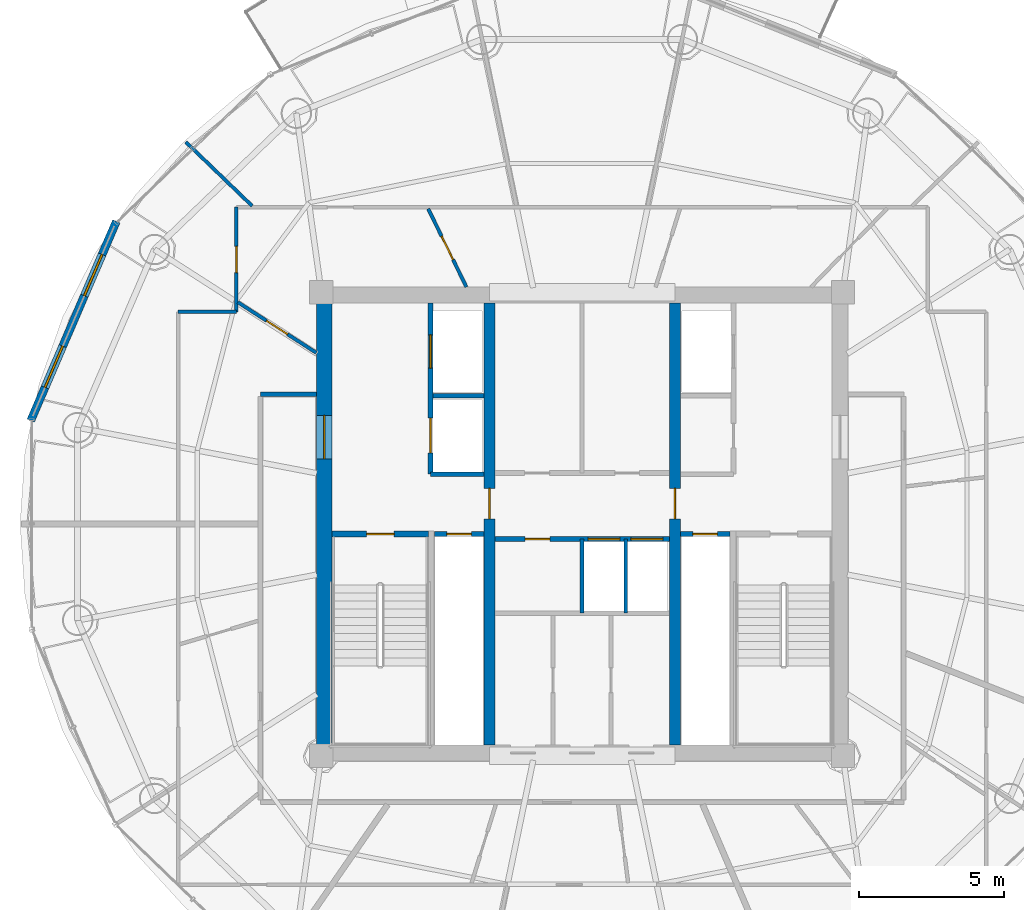
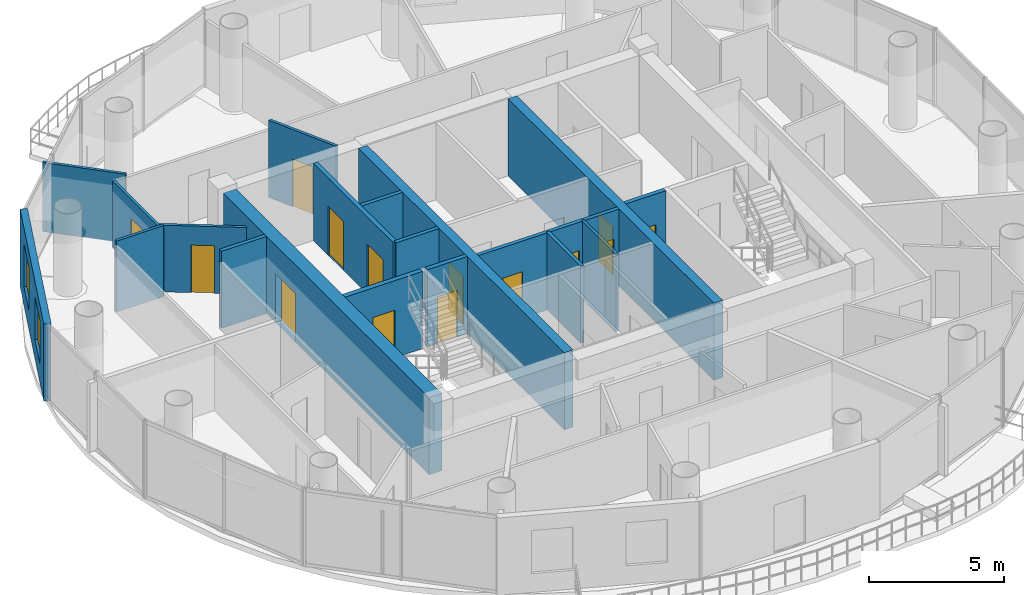
# One storey, part 19 of 24: 19 walls, 14 doors, 2 windows, 16 openings.
"""IFC4 building model written with IfcOpenShell, lengths in metres."""

from ifc_helpers import new_model, si_unit, direction, frame, frame_2d, origin, place, context, subcontext, project, spatial, rectangle, extrude, source, transform, mapped, material, layer, layer_set, type_object, element, fill, save


model = new_model("IFC4")

# Units and contexts
model_context = context("Model", 3, precision=1e-05, world=origin(), true_north=direction((-0.2419218956, 0.970295726276)))
body_context = subcontext(model_context, "Body", "Model", "MODEL_VIEW")
ifc_project = project(units=[si_unit("LENGTHUNIT", "METRE"), si_unit("AREAUNIT", "SQUARE_METRE"), si_unit("VOLUMEUNIT", "CUBIC_METRE"), si_unit("PLANEANGLEUNIT", "RADIAN"), si_unit("MASSUNIT", "GRAM", prefix="KILO")], contexts=[model_context])

# Site, building, storey
site_placement = place(None, origin())
site = spatial("IfcSite", under=ifc_project, at=site_placement, CompositionType="ELEMENT")
building_placement = place(site_placement, origin())
building = spatial("IfcBuilding", under=site, at=building_placement, Name="Cobrevalo Terracotta Tower", CompositionType="ELEMENT")
storey_placement = place(building_placement, frame((0.0, 0.0, 274.449951171875)))
storey = spatial("IfcBuildingStorey", under=building, at=storey_placement, Name="L72", CompositionType="ELEMENT", Elevation=274.449951171875)

# Wall, opening, door
ifc_material_1 = material(Name="Concrete C50", Category="concrete")
ifc_layer_1 = layer(ifc_material_1, 0.550048828125)
ifc_layer_set_1 = layer_set([ifc_layer_1], Name="Concrete C50")
wall_type_1 = type_object("IfcWallType", Name="Core shear wall 550 mm Concrete C50", PredefinedType="SHEAR", material=ifc_layer_set_1)
wall_1_placement = place(storey_placement, frame((29.10009765625, 19.175048828125, 0.0), z_axis=(0.0, 0.0, 1.0), x_axis=(0.0, 1.0, 0.0)))
wall_1 = element("IfcWall", 1, at=wall_1_placement, inside=storey, type_object=wall_type_1, Name="L72 west core shear wall", PredefinedType="SHEAR", context=body_context, shape_type="SweptSolid", body=[
    extrude(rectangle(XDim=15.25, YDim=0.550048828125, at=frame_2d((7.625, 0.0))), origin(), (0.0, 0.0, 1.0), 3.489990234375),
])
opening_1_placement = place(wall_1_placement, frame((9.875, 0.0, 0.0)))
opening_1 = element("IfcOpeningElement", 2, at=opening_1_placement, cuts=wall_1, Name="Opening ID-14", PredefinedType="OPENING", context=body_context, shape_type="SweptSolid", body=[
    extrude(rectangle(XDim=1.5, YDim=2.199951171875, at=frame_2d((0.75, 1.10009765625))), frame((0.0, 0.28515625, 0.0), z_axis=(0.0, -1.0, 0.0), x_axis=(1.0, 0.0, 0.0)), (0.0, 0.0, 1.0), 0.570068359375),
])
ifc_material_2 = material(Name="Galvanized fire-rated steel", Category="steel")
door_type_1 = type_object("IfcDoorType", Name="Core cross-lobby double fire door 1500x2200 EI 90", OperationType="NOTDEFINED", PredefinedType="DOOR", material=ifc_material_2)
shared_shape_1 = source(origin(), body_context, "Body", "SweptSolid", [
    extrude(rectangle(XDim=1.5, YDim=2.199951171875, at=frame_2d((0.75, 1.10009765625))), frame((0.0, 0.02490234375, 0.0), z_axis=(0.0, -1.0, 0.0), x_axis=(1.0, 0.0, 0.0)), (0.0, 0.0, 1.0), 0.050048828125),
])
door_1_placement = place(opening_1_placement, origin())
door_1 = element("IfcDoor", 3, at=door_1_placement, inside=storey, type_object=door_type_1, Name="L72 west firefighting lobby entrance door", OperationType="DOUBLE_DOOR_SINGLE_SWING", OverallHeight=2.199951171875, OverallWidth=1.5, PredefinedType="DOOR", context=body_context, shape_type="MappedRepresentation", body=[
    mapped(shared_shape_1, transform((0.0, 0.0, 0.0), scale=1.0)),
])
fill(opening_1, door_1)

# Walls
ifc_material_3 = material(Name="Gypsum board on steel stud", Category="steel")
ifc_layer_2 = layer(ifc_material_3, 0.159912109375)
ifc_layer_set_2 = layer_set([ifc_layer_2], Name="Gypsum board on steel stud")
wall_type_2 = type_object("IfcWallType", Name="Fire-rated corridor acoustic partition wall 160 mm", PredefinedType="PARTITIONING", material=ifc_layer_set_2)
wall_2_placement = place(storey_placement, frame((32.860107421875, 31.219970703125, 0.0), z_axis=(0.0, 0.0, 1.0), x_axis=(1.0, 0.0, 0.0)))
element("IfcWall", 4, at=wall_2_placement, inside=storey, type_object=wall_type_2, Name="L72 interior partition IW-L72-FF1-M", PredefinedType="PARTITIONING", context=body_context, shape_type="SweptSolid", body=[
    extrude(rectangle(XDim=1.75, YDim=0.159912109375, at=frame_2d((0.875, 0.0))), origin(), (0.0, 0.0, 1.0), 3.489990234375),
])
wall_3_placement = place(storey_placement, frame((32.77001953125, 28.52001953125, 0.0), z_axis=(0.0, 0.0, 1.0), x_axis=(1.0, 0.0, 0.0)))
element("IfcWall", 5, at=wall_3_placement, inside=storey, type_object=wall_type_2, Name="L72 interior partition IW-L72-FF1-S", PredefinedType="PARTITIONING", context=body_context, shape_type="SweptSolid", body=[
    extrude(rectangle(XDim=1.840087890625, YDim=0.159912109375, at=frame_2d((0.919921875, 0.0))), origin(), (0.0, 0.0, 1.0), 3.489990234375),
])

# Wall, openings, doors
wall_4_placement = place(storey_placement, frame((34.989990234375, 26.280029296875, 0.0), z_axis=(0.0, 0.0, 1.0), x_axis=(1.0, 0.0, 0.0)))
wall_4 = element("IfcWall", 6, at=wall_4_placement, inside=storey, type_object=wall_type_2, Name="L72 interior partition IW-L72-MB-N", PredefinedType="PARTITIONING", context=body_context, shape_type="SweptSolid", body=[
    extrude(rectangle(XDim=6.02001953125, YDim=0.159912109375, at=frame_2d((3.010009765625, 0.0))), origin(), (0.0, 0.0, 1.0), 3.489990234375),
])
opening_2_placement = place(wall_4_placement, frame((1.044921875, 0.0, 0.0)))
opening_2 = element("IfcOpeningElement", 7, at=opening_2_placement, cuts=wall_4, Name="Opening ID-22", PredefinedType="OPENING", context=body_context, shape_type="SweptSolid", body=[
    extrude(rectangle(XDim=0.85009765625, YDim=2.10009765625, at=frame_2d((0.425048828125, 1.050048828125))), frame((0.0, 0.08984375, 0.0), z_axis=(0.0, -1.0, 0.0), x_axis=(1.0, 0.0, 0.0)), (0.0, 0.0, 1.0), 0.179931640625),
])
opening_3_placement = place(wall_4_placement, frame((3.215087890625, 0.0, 0.0)))
opening_3 = element("IfcOpeningElement", 8, at=opening_3_placement, cuts=wall_4, Name="Opening LD-01", PredefinedType="OPENING", context=body_context, shape_type="SweptSolid", body=[
    extrude(rectangle(XDim=1.10009765625, YDim=2.199951171875, at=frame_2d((0.550048828125, 1.10009765625))), frame((0.0, 0.08984375, 0.0), z_axis=(0.0, -1.0, 0.0), x_axis=(1.0, 0.0, 0.0)), (0.0, 0.0, 1.0), 0.179931640625),
])
opening_4_placement = place(wall_4_placement, frame((4.695068359375, 0.0, 0.0)))
opening_4 = element("IfcOpeningElement", 9, at=opening_4_placement, cuts=wall_4, Name="Opening LD-01", PredefinedType="OPENING", context=body_context, shape_type="SweptSolid", body=[
    extrude(rectangle(XDim=1.10009765625, YDim=2.199951171875, at=frame_2d((0.550048828125, 1.10009765625))), frame((0.0, 0.08984375, 0.0), z_axis=(0.0, -1.0, 0.0), x_axis=(1.0, 0.0, 0.0)), (0.0, 0.0, 1.0), 0.179931640625),
])
ifc_material_4 = material(Name="Powder-coated steel", Category="steel")
door_type_2 = type_object("IfcDoorType", Name="Riser shaft & meter closet fire access door 850x2100 EI 60", OperationType="NOTDEFINED", PredefinedType="DOOR", material=ifc_material_4)
shared_shape_2 = source(origin(), body_context, "Body", "SweptSolid", [
    extrude(rectangle(XDim=0.85009765625, YDim=2.10009765625, at=frame_2d((0.425048828125, 1.050048828125))), frame((0.0, 0.02490234375, 0.0), z_axis=(0.0, -1.0, 0.0), x_axis=(1.0, 0.0, 0.0)), (0.0, 0.0, 1.0), 0.050048828125),
])
door_2_placement = place(opening_2_placement, frame((0.85009765625, 0.0, 0.0), z_axis=(0.0, 0.0, 1.0), x_axis=(-1.0, 0.0, 0.0)))
door_2 = element("IfcDoor", 10, at=door_2_placement, inside=storey, type_object=door_type_2, Name="L72 core room door High-Rise Core Linen and Equipment Store", OperationType="SINGLE_SWING_RIGHT", OverallHeight=2.10009765625, OverallWidth=0.85009765625, PredefinedType="DOOR", context=body_context, shape_type="MappedRepresentation", body=[
    mapped(shared_shape_2, transform((0.0, 0.0, 0.0), scale=1.0)),
])
fill(opening_2, door_2)
ifc_material_5 = material(Name="Brushed stainless steel", Category="steel")
door_type_3 = type_object("IfcDoorType", Name="Passenger lift landing bi-parting sliding door 1100x2200 EI 90", OperationType="DOUBLE_DOOR_SLIDING", PredefinedType="DOOR", material=ifc_material_5)
shared_shape_3 = source(origin(), body_context, "Body", "SweptSolid", [
    extrude(rectangle(XDim=1.10009765625, YDim=2.199951171875, at=frame_2d((0.550048828125, 1.10009765625))), frame((0.0, 0.02490234375, 0.0), z_axis=(0.0, -1.0, 0.0), x_axis=(1.0, 0.0, 0.0)), (0.0, 0.0, 1.0), 0.050048828125),
])
door_3_placement = place(opening_3_placement, origin())
door_3 = element("IfcDoor", 11, at=door_3_placement, inside=storey, type_object=door_type_3, Name="L72 lift landing door PL-H1", OperationType="DOUBLE_DOOR_SLIDING", OverallHeight=2.199951171875, OverallWidth=1.10009765625, PredefinedType="DOOR", context=body_context, shape_type="MappedRepresentation", body=[
    mapped(shared_shape_3, transform((0.0, 0.0, 0.0), scale=1.0)),
])
fill(opening_3, door_3)
door_4_placement = place(opening_4_placement, origin())
door_4 = element("IfcDoor", 12, at=door_4_placement, inside=storey, type_object=door_type_3, Name="L72 lift landing door PL-H2", OperationType="DOUBLE_DOOR_SLIDING", OverallHeight=2.199951171875, OverallWidth=1.10009765625, PredefinedType="DOOR", context=body_context, shape_type="MappedRepresentation", body=[
    mapped(shared_shape_3, transform((0.0, 0.0, 0.0), scale=1.0)),
])
fill(opening_4, door_4)

# Wall
wall_5_placement = place(storey_placement, frame((26.89501953125, 31.280029296875, 0.0), z_axis=(0.0, 0.0, 1.0), x_axis=(1.0, 0.0, 0.0)))
element("IfcWall", 13, at=wall_5_placement, inside=storey, type_object=wall_type_2, Name="L72 interior partition IW-L72-COR-WN-CAP", PredefinedType="PARTITIONING", context=body_context, shape_type="SweptSolid", body=[
    extrude(rectangle(XDim=1.929931640625, YDim=0.159912109375, at=frame_2d((0.96484375, 0.0))), origin(), (0.0, 0.0, 1.0), 3.489990234375),
])

# Wall, opening, door
ifc_layer_3 = layer(ifc_material_3, 0.179931640625)
ifc_layer_set_3 = layer_set([ifc_layer_3], Name="Gypsum board on steel stud")
wall_type_3 = type_object("IfcWallType", Name="Fire-rated shaft & lobby acoustic partition wall 180 mm", PredefinedType="PARTITIONING", material=ifc_layer_set_3)
wall_6_placement = place(storey_placement, frame((32.89990234375, 26.449951171875, 0.0), z_axis=(0.0, 0.0, 1.0), x_axis=(1.0, 0.0, 0.0)))
wall_6 = element("IfcWall", 14, at=wall_6_placement, inside=storey, type_object=wall_type_3, Name="L72 interior partition IW-L72-RSW-N", PredefinedType="PARTITIONING", context=body_context, shape_type="SweptSolid", body=[
    extrude(rectangle(XDim=1.710205078125, YDim=0.179931640625, at=frame_2d((0.85498046875, 0.0))), origin(), (0.0, 0.0, 1.0), 3.489990234375),
])
opening_5_placement = place(wall_6_placement, frame((0.429931640625, 0.0, 0.0)))
opening_5 = element("IfcOpeningElement", 15, at=opening_5_placement, cuts=wall_6, Name="Opening ID-22", PredefinedType="OPENING", context=body_context, shape_type="SweptSolid", body=[
    extrude(rectangle(XDim=0.85009765625, YDim=2.10009765625, at=frame_2d((0.425048828125, 1.050048828125))), frame((0.0, 0.10009765625, 0.0), z_axis=(0.0, -1.0, 0.0), x_axis=(1.0, 0.0, 0.0)), (0.0, 0.0, 1.0), 0.199951171875),
])
door_5_placement = place(opening_5_placement, origin())
door_5 = element("IfcDoor", 16, at=door_5_placement, inside=storey, type_object=door_type_2, Name="L72 riser access door RSW", OperationType="SINGLE_SWING_LEFT", OverallHeight=2.10009765625, OverallWidth=0.85009765625, PredefinedType="DOOR", context=body_context, shape_type="MappedRepresentation", body=[
    mapped(shared_shape_2, transform((0.0, 0.0, 0.0), scale=1.0)),
])
fill(opening_5, door_5)

wall_7_placement = place(storey_placement, frame((41.389892578125, 26.449951171875, 0.0), z_axis=(0.0, 0.0, 1.0), x_axis=(1.0, 0.0, 0.0)))
wall_7 = element("IfcWall", 17, at=wall_7_placement, inside=storey, type_object=wall_type_3, Name="L72 interior partition IW-L72-RSE-N", PredefinedType="PARTITIONING", context=body_context, shape_type="SweptSolid", body=[
    extrude(rectangle(XDim=1.710205078125, YDim=0.179931640625, at=frame_2d((0.85498046875, 0.0))), origin(), (0.0, 0.0, 1.0), 3.489990234375),
])
opening_6_placement = place(wall_7_placement, frame((0.429931640625, 0.0, 0.0)))
opening_6 = element("IfcOpeningElement", 18, at=opening_6_placement, cuts=wall_7, Name="Opening ID-22", PredefinedType="OPENING", context=body_context, shape_type="SweptSolid", body=[
    extrude(rectangle(XDim=0.85009765625, YDim=2.10009765625, at=frame_2d((0.425048828125, 1.050048828125))), frame((0.0, 0.10009765625, 0.0), z_axis=(0.0, -1.0, 0.0), x_axis=(1.0, 0.0, 0.0)), (0.0, 0.0, 1.0), 0.199951171875),
])
door_6_placement = place(opening_6_placement, origin())
door_6 = element("IfcDoor", 19, at=door_6_placement, inside=storey, type_object=door_type_2, Name="L72 riser access door RSE", OperationType="SINGLE_SWING_RIGHT", OverallHeight=2.10009765625, OverallWidth=0.85009765625, PredefinedType="DOOR", context=body_context, shape_type="MappedRepresentation", body=[
    mapped(shared_shape_2, transform((0.0, 0.0, 0.0), scale=1.0)),
])
fill(opening_6, door_6)

# Wall, openings, doors
wall_8_placement = place(storey_placement, frame((32.77001953125, 28.52001953125, 0.0), z_axis=(0.0, 0.0, 1.0), x_axis=(0.0, 1.0, 0.0)))
wall_8 = element("IfcWall", 20, at=wall_8_placement, inside=storey, type_object=wall_type_3, Name="L72 interior partition IW-L72-FF1-W", PredefinedType="PARTITIONING", context=body_context, shape_type="SweptSolid", body=[
    extrude(rectangle(XDim=5.905029296875, YDim=0.179931640625, at=frame_2d((2.95263671875, 0.0))), origin(), (0.0, 0.0, 1.0), 3.489990234375),
])
opening_7_placement = place(wall_8_placement, frame((3.655029296875, 0.0, 0.0)))
opening_7 = element("IfcOpeningElement", 21, at=opening_7_placement, cuts=wall_8, Name="Opening LD-02", PredefinedType="OPENING", context=body_context, shape_type="SweptSolid", body=[
    extrude(rectangle(XDim=1.14990234375, YDim=2.199951171875, at=frame_2d((0.574951171875, 1.10009765625))), frame((0.0, 0.10009765625, 0.0), z_axis=(0.0, -1.0, 0.0), x_axis=(1.0, 0.0, 0.0)), (0.0, 0.0, 1.0), 0.199951171875),
])
opening_8_placement = place(wall_8_placement, frame((0.72998046875, 0.0, 0.0)))
opening_8 = element("IfcOpeningElement", 22, at=opening_8_placement, cuts=wall_8, Name="Opening LD-03", PredefinedType="OPENING", context=body_context, shape_type="SweptSolid", body=[
    extrude(rectangle(XDim=1.199951171875, YDim=2.25, at=frame_2d((0.60009765625, 1.125))), frame((0.0, 0.10009765625, 0.0), z_axis=(0.0, -1.0, 0.0), x_axis=(1.0, 0.0, 0.0)), (0.0, 0.0, 1.0), 0.199951171875),
])
door_type_4 = type_object("IfcDoorType", Name="Firefighting lift landing bi-parting sliding door 1150x2200 EI 120", OperationType="DOUBLE_DOOR_SLIDING", PredefinedType="DOOR", material=ifc_material_5)
shared_shape_4 = source(origin(), body_context, "Body", "SweptSolid", [
    extrude(rectangle(XDim=1.14990234375, YDim=2.199951171875, at=frame_2d((0.574951171875, 1.10009765625))), frame((0.0, 0.02490234375, 0.0), z_axis=(0.0, -1.0, 0.0), x_axis=(1.0, 0.0, 0.0)), (0.0, 0.0, 1.0), 0.050048828125),
])
door_7_placement = place(opening_7_placement, origin())
door_7 = element("IfcDoor", 23, at=door_7_placement, inside=storey, type_object=door_type_4, Name="L72 lift landing door FF-1", OperationType="DOUBLE_DOOR_SLIDING", OverallHeight=2.199951171875, OverallWidth=1.14990234375, PredefinedType="DOOR", context=body_context, shape_type="MappedRepresentation", body=[
    mapped(shared_shape_4, transform((0.0, 0.0, 0.0), scale=1.0)),
])
fill(opening_7, door_7)
door_type_5 = type_object("IfcDoorType", Name="Service lift landing bi-parting sliding door 1200x2250 EI 120", OperationType="DOUBLE_DOOR_SLIDING", PredefinedType="DOOR", material=ifc_material_5)
shared_shape_5 = source(origin(), body_context, "Body", "SweptSolid", [
    extrude(rectangle(XDim=1.199951171875, YDim=2.25, at=frame_2d((0.60009765625, 1.125))), frame((0.0, 0.02490234375, 0.0), z_axis=(0.0, -1.0, 0.0), x_axis=(1.0, 0.0, 0.0)), (0.0, 0.0, 1.0), 0.050048828125),
])
door_8_placement = place(opening_8_placement, origin())
door_8 = element("IfcDoor", 24, at=door_8_placement, inside=storey, type_object=door_type_5, Name="L72 lift landing door SV-1", OperationType="DOUBLE_DOOR_SLIDING", OverallHeight=2.25, OverallWidth=1.199951171875, PredefinedType="DOOR", context=body_context, shape_type="MappedRepresentation", body=[
    mapped(shared_shape_5, transform((0.0, 0.0, 0.0), scale=1.0)),
])
fill(opening_8, door_8)

# Wall
ifc_material_6 = material(Name="Autoclaved aerated concrete block", Category="concrete")
ifc_layer_4 = layer(ifc_material_6, 0.1201171875)
ifc_layer_set_4 = layer_set([ifc_layer_4], Name="Autoclaved aerated concrete block")
wall_type_4 = type_object("IfcWallType", Name="Fire-rated wet-room & core service partition 120 mm", PredefinedType="PARTITIONING", material=ifc_layer_set_4)
wall_9_placement = place(storey_placement, frame((39.5, 23.719970703125, 0.0), z_axis=(0.0, 0.0, 1.0), x_axis=(0.0, 1.0, 0.0)))
element("IfcWall", 25, at=wall_9_placement, inside=storey, type_object=wall_type_4, Name="L72 interior partition IW-L72-MB-D3", PredefinedType="PARTITIONING", context=body_context, shape_type="SweptSolid", body=[
    extrude(rectangle(XDim=2.56005859375, YDim=0.1201171875, at=frame_2d((1.280029296875, 0.0))), origin(), (0.0, 0.0, 1.0), 3.489990234375),
])

# Wall, openings, windows
ifc_layer_5 = layer(ifc_material_6, 0.280029296875)
ifc_layer_set_5 = layer_set([ifc_layer_5], Name="Autoclaved aerated concrete block")
wall_type_5 = type_object("IfcWallType", Name="Insulated tower spandrel & pier wall 280 mm with terracotta rainscreen", PredefinedType="SOLIDWALL", material=ifc_layer_set_5)
wall_10_placement = place(storey_placement, frame((21.926025390625, 37.24609375, 0.0), z_axis=(0.0, 0.0, 1.0), x_axis=(-0.394816612978, -0.918759948037, 0.0)))
wall_10 = element("IfcWall", 26, at=wall_10_placement, inside=storey, type_object=wall_type_5, Name="L72 terracotta rainscreen pier wall S07", PredefinedType="SOLIDWALL", context=body_context, shape_type="SweptSolid", body=[
    extrude(rectangle(XDim=7.4853515625, YDim=0.280029296875, at=frame_2d((3.74267578125, 0.0))), origin(), (0.0, 0.0, 1.0), 3.489990234375),
])
opening_9_placement = place(wall_10_placement, frame((1.24609375, 0.0, 0.85009765625)))
opening_9 = element("IfcOpeningElement", 27, at=opening_9_placement, cuts=wall_10, Name="Opening WN-12", PredefinedType="OPENING", context=body_context, shape_type="SweptSolid", body=[
    extrude(rectangle(XDim=1.550048828125, YDim=1.949951171875, at=frame_2d((0.77490234375, 0.97509765625))), frame((0.0, 0.14990234375, 0.0), z_axis=(0.0, -1.0, 0.0), x_axis=(1.0, 0.0, 0.0)), (0.0, 0.0, 1.0), 0.300048828125),
])
opening_10_placement = place(wall_10_placement, frame((4.689208984375, 0.0, 0.85009765625)))
opening_10 = element("IfcOpeningElement", 28, at=opening_10_placement, cuts=wall_10, Name="Opening WN-12", PredefinedType="OPENING", context=body_context, shape_type="SweptSolid", body=[
    extrude(rectangle(XDim=1.550048828125, YDim=1.949951171875, at=frame_2d((0.77490234375, 0.97509765625))), frame((0.0, 0.14990234375, 0.0), z_axis=(0.0, -1.0, 0.0), x_axis=(1.0, 0.0, 0.0)), (0.0, 0.0, 1.0), 0.300048828125),
])
ifc_material_7 = material(Name="Solar-control low-E double glazing", Category="glass")
window_type = type_object("IfcWindowType", Name="Solar-control low-E aluminium window 1550x1950", PartitioningType="SINGLE_PANEL", PredefinedType="WINDOW", material=ifc_material_7)
shared_shape_6 = source(origin(), body_context, "Body", "SweptSolid", [
    extrude(rectangle(XDim=1.550048828125, YDim=1.949951171875, at=frame_2d((0.77490234375, 0.97509765625))), frame((0.0, 0.030029296875, 0.0), z_axis=(0.0, -1.0, 0.0), x_axis=(1.0, 0.0, 0.0)), (0.0, 0.0, 1.0), 0.06005859375),
])
window_1_placement = place(opening_9_placement, origin())
window_1 = element("IfcWindow", 29, at=window_1_placement, inside=storey, type_object=window_type, Name="L72 suite window S07A", OverallHeight=1.949951171875, OverallWidth=1.550048828125, PartitioningType="SINGLE_PANEL", PredefinedType="WINDOW", context=body_context, shape_type="MappedRepresentation", body=[
    mapped(shared_shape_6, transform((0.0, 0.0, 0.0), scale=1.0)),
])
fill(opening_9, window_1)
window_2_placement = place(opening_10_placement, origin())
window_2 = element("IfcWindow", 30, at=window_2_placement, inside=storey, type_object=window_type, Name="L72 suite window S07B", OverallHeight=1.949951171875, OverallWidth=1.550048828125, PartitioningType="SINGLE_PANEL", PredefinedType="WINDOW", context=body_context, shape_type="MappedRepresentation", body=[
    mapped(shared_shape_6, transform((0.0, 0.0, 0.0), scale=1.0)),
])
fill(opening_10, window_2)

# Wall, opening, door
ifc_layer_6 = layer(ifc_material_1, 0.3798828125)
ifc_layer_set_6 = layer_set([ifc_layer_6], Name="Concrete C50")
wall_type_6 = type_object("IfcWallType", Name="Internal core shear web wall 380 mm Concrete C50", PredefinedType="SHEAR", material=ifc_layer_set_6)
wall_11_placement = place(storey_placement, frame((34.800048828125, 19.175048828125, 0.0), z_axis=(0.0, 0.0, 1.0), x_axis=(0.0, 1.0, 0.0)))
wall_11 = element("IfcWall", 31, at=wall_11_placement, inside=storey, type_object=wall_type_6, Name="L72 internal core shear wall WEB-W", PredefinedType="SHEAR", context=body_context, shape_type="SweptSolid", body=[
    extrude(rectangle(XDim=15.25, YDim=0.3798828125, at=frame_2d((7.625, 0.0))), origin(), (0.0, 0.0, 1.0), 3.489990234375),
])
opening_11_placement = place(wall_11_placement, frame((7.800048828125, 0.0, 0.0)))
opening_11 = element("IfcOpeningElement", 32, at=opening_11_placement, cuts=wall_11, Name="Opening ID-11", PredefinedType="OPENING", context=body_context, shape_type="SweptSolid", body=[
    extrude(rectangle(XDim=1.050048828125, YDim=2.14990234375, at=frame_2d((0.52490234375, 1.074951171875))), frame((0.0, 0.199951171875, 0.0), z_axis=(0.0, -1.0, 0.0), x_axis=(1.0, 0.0, 0.0)), (0.0, 0.0, 1.0), 0.39990234375),
])
door_type_6 = type_object("IfcDoorType", Name="Core concourse cross fire door 1050x2150 EI 90", OperationType="NOTDEFINED", PredefinedType="DOOR", material=ifc_material_2)
shared_shape_7 = source(origin(), body_context, "Body", "SweptSolid", [
    extrude(rectangle(XDim=1.050048828125, YDim=2.14990234375, at=frame_2d((0.52490234375, 1.074951171875))), frame((0.0, 0.02490234375, 0.0), z_axis=(0.0, -1.0, 0.0), x_axis=(1.0, 0.0, 0.0)), (0.0, 0.0, 1.0), 0.050048828125),
])
door_9_placement = place(opening_11_placement, origin())
door_9 = element("IfcDoor", 33, at=door_9_placement, inside=storey, type_object=door_type_6, Name="L72 west core concourse cross door", OperationType="SINGLE_SWING_LEFT", OverallHeight=2.14990234375, OverallWidth=1.050048828125, PredefinedType="DOOR", context=body_context, shape_type="MappedRepresentation", body=[
    mapped(shared_shape_7, transform((0.0, 0.0, 0.0), scale=1.0)),
])
fill(opening_11, door_9)

wall_12_placement = place(storey_placement, frame((41.199951171875, 19.175048828125, 0.0), z_axis=(0.0, 0.0, 1.0), x_axis=(0.0, 1.0, 0.0)))
wall_12 = element("IfcWall", 34, at=wall_12_placement, inside=storey, type_object=wall_type_6, Name="L72 internal core shear wall WEB-E", PredefinedType="SHEAR", context=body_context, shape_type="SweptSolid", body=[
    extrude(rectangle(XDim=15.25, YDim=0.3798828125, at=frame_2d((7.625, 0.0))), origin(), (0.0, 0.0, 1.0), 3.489990234375),
])
opening_12_placement = place(wall_12_placement, frame((7.800048828125, 0.0, 0.0)))
opening_12 = element("IfcOpeningElement", 35, at=opening_12_placement, cuts=wall_12, Name="Opening ID-11", PredefinedType="OPENING", context=body_context, shape_type="SweptSolid", body=[
    extrude(rectangle(XDim=1.050048828125, YDim=2.14990234375, at=frame_2d((0.52490234375, 1.074951171875))), frame((0.0, 0.199951171875, 0.0), z_axis=(0.0, -1.0, 0.0), x_axis=(1.0, 0.0, 0.0)), (0.0, 0.0, 1.0), 0.39990234375),
])
door_10_placement = place(opening_12_placement, frame((1.050048828125, 0.0, 0.0), z_axis=(0.0, 0.0, 1.0), x_axis=(-1.0, 0.0, 0.0)))
door_10 = element("IfcDoor", 36, at=door_10_placement, inside=storey, type_object=door_type_6, Name="L72 east core concourse cross door", OperationType="SINGLE_SWING_RIGHT", OverallHeight=2.14990234375, OverallWidth=1.050048828125, PredefinedType="DOOR", context=body_context, shape_type="MappedRepresentation", body=[
    mapped(shared_shape_7, transform((0.0, 0.0, 0.0), scale=1.0)),
])
fill(opening_12, door_10)

# Walls
ifc_layer_7 = layer(ifc_material_6, 0.139892578125)
ifc_layer_set_7 = layer_set([ifc_layer_7], Name="Autoclaved aerated concrete block")
wall_type_7 = type_object("IfcWallType", Name="Moisture-resistant wet-room & core service partition 140 mm", PredefinedType="PARTITIONING", material=ifc_layer_set_7)
wall_13_placement = place(storey_placement, frame((38.0, 23.719970703125, 0.0), z_axis=(0.0, 0.0, 1.0), x_axis=(0.0, 1.0, 0.0)))
element("IfcWall", 37, at=wall_13_placement, inside=storey, type_object=wall_type_7, Name="L72 interior partition IW-L72-MB-D2", PredefinedType="PARTITIONING", context=body_context, shape_type="SweptSolid", body=[
    extrude(rectangle(XDim=2.56005859375, YDim=0.139892578125, at=frame_2d((1.280029296875, 0.0))), origin(), (0.0, 0.0, 1.0), 3.489990234375),
])
ifc_layer_8 = layer(ifc_material_3, 0.1201171875)
ifc_layer_set_8 = layer_set([ifc_layer_8], Name="Gypsum board on steel stud")
wall_type_8 = type_object("IfcWallType", Name="Residential internal acoustic stud partition 120 mm", PredefinedType="PARTITIONING", material=ifc_layer_set_8)
wall_14_placement = place(storey_placement, frame((24.054931640625, 34.1201171875, 0.0), z_axis=(0.0, 0.0, 1.0), x_axis=(1.0, 0.0, 0.0)))
element("IfcWall", 38, at=wall_14_placement, inside=storey, type_object=wall_type_8, Name="L72 interior partition IW-L72-U1-RING1_0", PredefinedType="PARTITIONING", context=body_context, shape_type="SweptSolid", body=[
    extrude(rectangle(XDim=2.010009765625, YDim=0.1201171875, at=frame_2d((1.0048828125, 0.0))), origin(), (0.0, 0.0, 1.0), 3.208984375),
])

# Wall, opening, door
wall_15_placement = place(storey_placement, frame((26.06494140625, 34.1201171875, 0.0), z_axis=(0.0, 0.0, 1.0), x_axis=(0.0, 1.0, 0.0)))
wall_15 = element("IfcWall", 39, at=wall_15_placement, inside=storey, type_object=wall_type_8, Name="L72 interior partition IW-L72-U1-RING2_0", PredefinedType="PARTITIONING", context=body_context, shape_type="SweptSolid", body=[
    extrude(rectangle(XDim=3.614990234375, YDim=0.1201171875, at=frame_2d((1.8076171875, 0.0))), origin(), (0.0, 0.0, 1.0), 3.01513671875),
])
opening_13_placement = place(wall_15_placement, frame((1.358154296875, 0.0, 0.0)))
opening_13 = element("IfcOpeningElement", 40, at=opening_13_placement, cuts=wall_15, Name="Opening ID-12", PredefinedType="OPENING", context=body_context, shape_type="SweptSolid", body=[
    extrude(rectangle(XDim=0.89990234375, YDim=2.14990234375, at=frame_2d((0.449951171875, 1.074951171875))), frame((0.0, 0.070068359375, 0.0), z_axis=(0.0, -1.0, 0.0), x_axis=(1.0, 0.0, 0.0)), (0.0, 0.0, 1.0), 0.14013671875),
])
ifc_material_8 = material(Name="Engineered timber", Category="wood")
door_type_7 = type_object("IfcDoorType", Name="Internal residence & suite timber door 900x2150", OperationType="NOTDEFINED", PredefinedType="DOOR", material=ifc_material_8)
shared_shape_8 = source(origin(), body_context, "Body", "SweptSolid", [
    extrude(rectangle(XDim=0.89990234375, YDim=2.14990234375, at=frame_2d((0.449951171875, 1.074951171875))), frame((0.0, 0.02490234375, 0.0), z_axis=(0.0, -1.0, 0.0), x_axis=(1.0, 0.0, 0.0)), (0.0, 0.0, 1.0), 0.050048828125),
])
door_11_placement = place(opening_13_placement, origin())
door_11 = element("IfcDoor", 41, at=door_11_placement, inside=storey, type_object=door_type_7, Name="Flat L72A Private Cinema Room internal door", OperationType="SINGLE_SWING_LEFT", OverallHeight=2.14990234375, OverallWidth=0.89990234375, PredefinedType="DOOR", context=body_context, shape_type="MappedRepresentation", body=[
    mapped(shared_shape_8, transform((0.0, 0.0, 0.0), scale=1.0)),
])
fill(opening_13, door_11)

# Wall
wall_16_placement = place(storey_placement, frame((26.611083984375, 37.778076171875, 0.0), z_axis=(0.0, 0.0, 1.0), x_axis=(-0.719985652574, 0.693988948102, 0.0)))
element("IfcWall", 42, at=wall_16_placement, inside=storey, type_object=wall_type_8, Name="L72 interior partition IW-L72-U1-ORAD3", PredefinedType="PARTITIONING", context=body_context, shape_type="SweptSolid", body=[
    extrude(rectangle(XDim=3.17431640625, YDim=0.1201171875, at=frame_2d((1.587158203125, 0.0))), origin(), (0.0, 0.0, 1.0), 3.12109375),
])

# Wall, opening, door
wall_17_placement = place(storey_placement, frame((34.00830078125, 34.976806640625, 0.0), z_axis=(0.0, 0.0, 1.0), x_axis=(-0.438717914863, 0.898624833386, 0.0)))
wall_17 = element("IfcWall", 43, at=wall_17_placement, inside=storey, type_object=wall_type_8, Name="L72 interior partition IW-L72-U1-IRAD4", PredefinedType="PARTITIONING", context=body_context, shape_type="SweptSolid", body=[
    extrude(rectangle(XDim=3.00732421875, YDim=0.1201171875, at=frame_2d((1.503662109375, 0.0))), origin(), (0.0, 0.0, 1.0), 3.489990234375),
])
opening_14_placement = place(wall_17_placement, frame((1.0537109375, 0.0, 0.0)))
opening_14 = element("IfcOpeningElement", 44, at=opening_14_placement, cuts=wall_17, Name="Opening ID-12", PredefinedType="OPENING", context=body_context, shape_type="SweptSolid", body=[
    extrude(rectangle(XDim=0.89990234375, YDim=2.14990234375, at=frame_2d((0.449951171875, 1.074951171875))), frame((0.0, 0.070068359375, 0.0), z_axis=(0.0, -1.0, 0.0), x_axis=(1.0, 0.0, 0.0)), (0.0, 0.0, 1.0), 0.14013671875),
])
door_12_placement = place(opening_14_placement, origin())
door_12 = element("IfcDoor", 45, at=door_12_placement, inside=storey, type_object=door_type_7, Name="Flat L72A Utility Closet internal door", OperationType="SINGLE_SWING_RIGHT", OverallHeight=2.14990234375, OverallWidth=0.89990234375, PredefinedType="DOOR", context=body_context, shape_type="MappedRepresentation", body=[
    mapped(shared_shape_8, transform((0.0, 0.0, 0.0), scale=1.0)),
])
fill(opening_14, door_12)

wall_18_placement = place(storey_placement, frame((28.824951171875, 32.709228515625, 0.0), z_axis=(0.0, 0.0, 1.0), x_axis=(-0.840692964871, 0.541512085568, 0.0)))
wall_18 = element("IfcWall", 46, at=wall_18_placement, inside=storey, type_object=wall_type_8, Name="L72 interior partition IW-L72-U1-IRAD5", PredefinedType="PARTITIONING", context=body_context, shape_type="SweptSolid", body=[
    extrude(rectangle(XDim=3.220947265625, YDim=0.1201171875, at=frame_2d((1.6103515625, 0.0))), origin(), (0.0, 0.0, 1.0), 3.01513671875),
])
opening_15_placement = place(wall_18_placement, frame((1.180419921875, 0.0, 0.0)))
opening_15 = element("IfcOpeningElement", 47, at=opening_15_placement, cuts=wall_18, Name="Opening ID-19", PredefinedType="OPENING", context=body_context, shape_type="SweptSolid", body=[
    extrude(rectangle(XDim=0.860107421875, YDim=2.14990234375, at=frame_2d((0.43017578125, 1.074951171875))), frame((0.0, 0.070068359375, 0.0), z_axis=(0.0, -1.0, 0.0), x_axis=(1.0, 0.0, 0.0)), (0.0, 0.0, 1.0), 0.14013671875),
])
ifc_material_9 = material(Name="Moisture-sealed timber", Category="wood")
door_type_8 = type_object("IfcDoorType", Name="Suite bathroom internal timber door 860x2150", OperationType="NOTDEFINED", PredefinedType="DOOR", material=ifc_material_9)
shared_shape_9 = source(origin(), body_context, "Body", "SweptSolid", [
    extrude(rectangle(XDim=0.860107421875, YDim=2.14990234375, at=frame_2d((0.43017578125, 1.074951171875))), frame((0.0, 0.02490234375, 0.0), z_axis=(0.0, -1.0, 0.0), x_axis=(1.0, 0.0, 0.0)), (0.0, 0.0, 1.0), 0.050048828125),
])
door_13_placement = place(opening_15_placement, origin())
door_13 = element("IfcDoor", 48, at=door_13_placement, inside=storey, type_object=door_type_8, Name="Flat L72A Guest Bathroom internal door", OperationType="SINGLE_SWING_LEFT", OverallHeight=2.14990234375, OverallWidth=0.860107421875, PredefinedType="DOOR", context=body_context, shape_type="MappedRepresentation", body=[
    mapped(shared_shape_9, transform((0.0, 0.0, 0.0), scale=1.0)),
])
fill(opening_15, door_13)

ifc_layer_9 = layer(ifc_material_1, 0.199951171875)
ifc_layer_set_9 = layer_set([ifc_layer_9], Name="Concrete C50")
wall_type_9 = type_object("IfcWallType", Name="Structural core & podium stair-shaft RC wall 200 mm Concrete C50", PredefinedType="SOLIDWALL", material=ifc_layer_set_9)
wall_19_placement = place(storey_placement, frame((29.375, 26.449951171875, 0.0), z_axis=(0.0, 0.0, 1.0), x_axis=(1.0, 0.0, 0.0)))
wall_19 = element("IfcWall", 49, at=wall_19_placement, inside=storey, type_object=wall_type_9, Name="L72 ST-1 north structural shaft wall", PredefinedType="SOLIDWALL", context=body_context, shape_type="SweptSolid", body=[
    extrude(rectangle(XDim=3.320068359375, YDim=0.199951171875, at=frame_2d((1.66015625, 0.0))), origin(), (0.0, 0.0, 1.0), 3.489990234375),
])
opening_16_placement = place(wall_19_placement, frame((1.18505859375, 0.0, 0.0)))
opening_16 = element("IfcOpeningElement", 50, at=opening_16_placement, cuts=wall_19, Name="Opening ID-04", PredefinedType="OPENING", context=body_context, shape_type="SweptSolid", body=[
    extrude(rectangle(XDim=0.949951171875, YDim=2.14990234375, at=frame_2d((0.47509765625, 1.074951171875))), frame((0.0, 0.10986328125, 0.0), z_axis=(0.0, -1.0, 0.0), x_axis=(1.0, 0.0, 0.0)), (0.0, 0.0, 1.0), 0.219970703125),
])
door_type_9 = type_object("IfcDoorType", Name="Stair & firefighting lobby fire door 950x2150 EI 90", OperationType="NOTDEFINED", PredefinedType="DOOR", material=ifc_material_2)
shared_shape_10 = source(origin(), body_context, "Body", "SweptSolid", [
    extrude(rectangle(XDim=0.949951171875, YDim=2.14990234375, at=frame_2d((0.47509765625, 1.074951171875))), frame((0.0, 0.02490234375, 0.0), z_axis=(0.0, -1.0, 0.0), x_axis=(1.0, 0.0, 0.0)), (0.0, 0.0, 1.0), 0.050048828125),
])
door_14_placement = place(opening_16_placement, origin())
door_14 = element("IfcDoor", 51, at=door_14_placement, inside=storey, type_object=door_type_9, Name="L72 protected stair ST1 fire door", OperationType="SINGLE_SWING_LEFT", OverallHeight=2.14990234375, OverallWidth=0.949951171875, PredefinedType="DOOR", context=body_context, shape_type="MappedRepresentation", body=[
    mapped(shared_shape_10, transform((0.0, 0.0, 0.0), scale=1.0)),
])
fill(opening_16, door_14)

save(model, "model.ifc")
